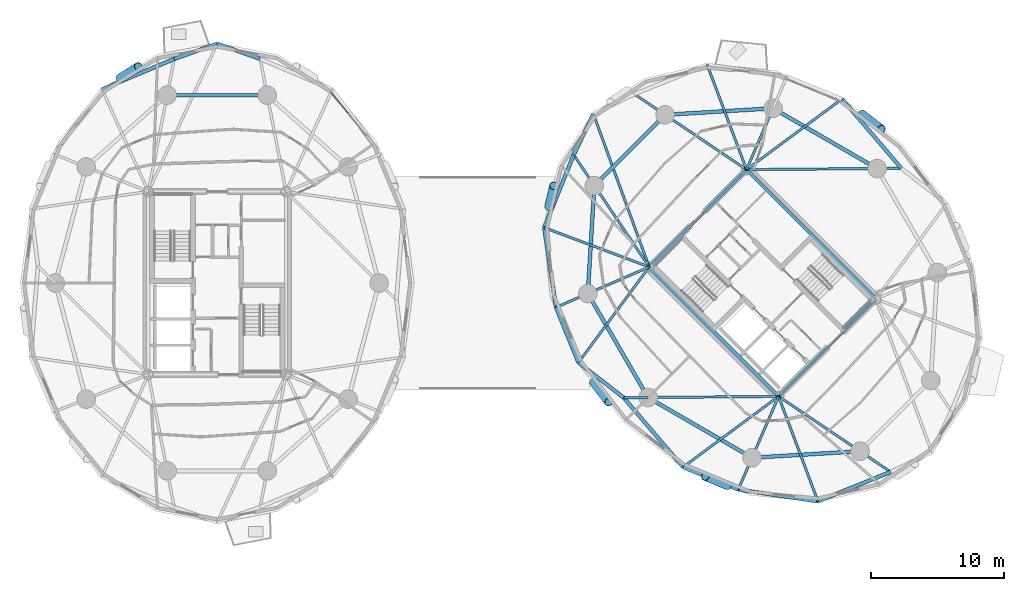
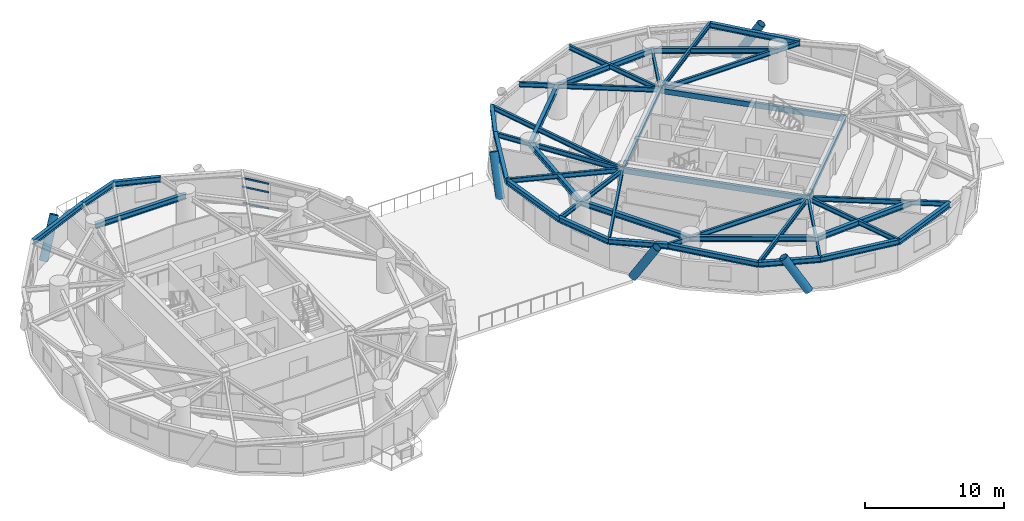
# One storey, part 4 of 19: 41 beams, 8 members, 1 element without a shape of its own.
"""IFC4 building model written with IfcOpenShell, lengths in metres."""

from ifc_helpers import new_model, si_unit, direction, frame, origin, origin_2d, place, context, subcontext, project, spatial, hollow_rectangle, hollow_circle, i_section, extrude, material, layer, layer_set, material_profile, profile_set, type_object, element, aggregate, save


model = new_model("IFC4")

# Units and contexts
model_context = context("Model", 3, precision=1e-05, world=origin(), true_north=direction((0.0, 1.0)))
body_context = subcontext(model_context, "Body", "Model", "MODEL_VIEW")
ifc_project = project(units=[si_unit("LENGTHUNIT", "METRE"), si_unit("AREAUNIT", "SQUARE_METRE"), si_unit("VOLUMEUNIT", "CUBIC_METRE"), si_unit("PLANEANGLEUNIT", "RADIAN"), si_unit("MASSUNIT", "GRAM", prefix="KILO")], contexts=[model_context])

# Site, building, storey
site_placement = place(None, origin())
site = spatial("IfcSite", under=ifc_project, at=site_placement, CompositionType="ELEMENT")
building_placement = place(site_placement, origin())
building = spatial("IfcBuilding", under=site, at=building_placement, Name="Cununo Teusaquillo Station Towers", CompositionType="ELEMENT")
storey_placement = place(building_placement, frame((0.0, 0.0, 144.0400390625)))
storey = spatial("IfcBuildingStorey", under=building, at=storey_placement, Name="L45", CompositionType="ELEMENT", Elevation=144.0400390625)

# Beams
ifc_material_1 = material(Name="Steel EN 10025-2 S355J2", Category="steel")
ifc_material_profile_1 = material_profile(ifc_material_1, hollow_rectangle(XDim=0.25, YDim=0.449951171875, WallThickness=0.01611328125, at=origin_2d()), Name="RHS 450x250x16")
ifc_profile_set_1 = profile_set([ifc_material_profile_1], Name="Steel EN 10025-2 S355J2")
beam_type_1 = type_object("IfcBeamType", Name="BM-COUP-1", PredefinedType="USERDEFINED", material=ifc_profile_set_1)
for number, where, z_axis, x_axis, name in (
    (1, (58.70556640625, 15.975830078125, 2.494873046875), (-0.707106781187, 0.707106781187, 0.0), (-0.707106781187, -0.707106781187, 0.0), "L45 Tower B Core Beam 1"),
    (2, (66.024169921875, 23.29443359375, 2.494873046875), (-0.707106781187, 0.707106781187, 0.0), (-0.707106781187, -0.707106781187, 0.0), "L45 Tower B Core Beam 2"),
):
    element("IfcBeam", number, at=place(storey_placement, frame(where, z_axis=z_axis, x_axis=x_axis)), inside=storey, type_object=beam_type_1, Name=name, ObjectType="COUPLING BEAM", PredefinedType="USERDEFINED", context=body_context, shape_type="SweptSolid", body=[
        extrude(hollow_rectangle(XDim=0.25, YDim=0.449951171875, WallThickness=0.01611328125, at=origin_2d()), origin(), (0.0, 0.0, 1.0), 13.760009765625),
    ])
ifc_material_2 = material(Name="Steel ASTM A572 Grade 50", Category="steel")
ifc_material_profile_2 = material_profile(ifc_material_2, i_section(OverallWidth=0.180908203125, OverallDepth=0.4169921875, WebThickness=0.010986328125, FlangeThickness=0.018310546875, FilletRadius=0.012939453125, at=origin_2d()), Name="W16X57")
ifc_profile_set_2 = profile_set([ifc_material_profile_2], Name="Steel ASTM A572 Grade 50")
beam_type_2 = type_object("IfcBeamType", Name="BM-JOIST-1", PredefinedType="JOIST", material=ifc_profile_set_2)
beam_1_placement = place(storey_placement, frame((56.29443359375, 33.024169921875, 2.511474609375), z_axis=(0.803848430471, 0.594834179272, 0.0), x_axis=(-0.594834179272, 0.803848430471, 0.0)))
element("IfcBeam", 3, at=beam_1_placement, inside=storey, type_object=beam_type_2, Name="L45 Tower B Radial Spandrel Joist V01", PredefinedType="JOIST", context=body_context, shape_type="SweptSolid", body=[
    extrude(i_section(OverallWidth=0.180908203125, OverallDepth=0.4169921875, WebThickness=0.010986328125, FlangeThickness=0.018310546875, FilletRadius=0.012939453125, at=origin_2d()), origin(), (0.0, 0.0, 1.0), 8.936767578125),
])
beam_2_placement = place(storey_placement, frame((56.29443359375, 33.024169921875, 2.511474609375), z_axis=(-0.351348805076, 0.936244635323, 0.0), x_axis=(-0.936244635323, -0.351348805076, 0.0)))
element("IfcBeam", 4, at=beam_2_placement, inside=storey, type_object=beam_type_2, Name="L45 Tower B Radial Spandrel Joist V03", PredefinedType="JOIST", context=body_context, shape_type="SweptSolid", body=[
    extrude(i_section(OverallWidth=0.180908203125, OverallDepth=0.4169921875, WebThickness=0.010986328125, FlangeThickness=0.018310546875, FilletRadius=0.012939453125, at=origin_2d()), origin(), (0.0, 0.0, 1.0), 8.4287109375),
])
beam_3_placement = place(storey_placement, frame((48.975830078125, 25.70556640625, 2.511474609375), z_axis=(-0.34241791496, 0.939547748395, 0.0), x_axis=(-0.939547748395, -0.34241791496, 0.0)))
element("IfcBeam", 5, at=beam_3_placement, inside=storey, type_object=beam_type_2, Name="L45 Tower B Radial Spandrel Joist V05", PredefinedType="JOIST", context=body_context, shape_type="SweptSolid", body=[
    extrude(i_section(OverallWidth=0.180908203125, OverallDepth=0.4169921875, WebThickness=0.010986328125, FlangeThickness=0.018310546875, FilletRadius=0.012939453125, at=origin_2d()), origin(), (0.0, 0.0, 1.0), 12.25634765625),
])
beam_4_placement = place(storey_placement, frame((48.975830078125, 25.70556640625, 2.511474609375), z_axis=(-0.936244635323, 0.351348805076, 0.0), x_axis=(-0.351348805076, -0.936244635323, 0.0)))
element("IfcBeam", 6, at=beam_4_placement, inside=storey, type_object=beam_type_2, Name="L45 Tower B Radial Spandrel Joist V07", PredefinedType="JOIST", context=body_context, shape_type="SweptSolid", body=[
    extrude(i_section(OverallWidth=0.180908203125, OverallDepth=0.4169921875, WebThickness=0.010986328125, FlangeThickness=0.018310546875, FilletRadius=0.012939453125, at=origin_2d()), origin(), (0.0, 0.0, 1.0), 8.4287109375),
])
for number, where, z_axis, x_axis, name in (
    (7, (48.975830078125, 25.70556640625, 2.511474609375), (-0.594834179272, -0.803848430471, 0.0), (0.803848430471, -0.594834179272, 0.0), "L45 Tower B Radial Spandrel Joist V09"),
    (8, (58.70556640625, 15.975830078125, 2.511474609375), (-0.803848430471, -0.594834179272, 0.0), (0.594834179272, -0.803848430471, 0.0), "L45 Tower B Radial Spandrel Joist V11"),
):
    element("IfcBeam", number, at=place(storey_placement, frame(where, z_axis=z_axis, x_axis=x_axis)), inside=storey, type_object=beam_type_2, Name=name, PredefinedType="JOIST", context=body_context, shape_type="SweptSolid", body=[
        extrude(i_section(OverallWidth=0.180908203125, OverallDepth=0.4169921875, WebThickness=0.010986328125, FlangeThickness=0.018310546875, FilletRadius=0.012939453125, at=origin_2d()), origin(), (0.0, 0.0, 1.0), 8.936767578125),
    ])
beam_5_placement = place(storey_placement, frame((58.70556640625, 15.975830078125, 2.511474609375), z_axis=(0.351348805076, -0.936244635323, 0.0), x_axis=(0.936244635323, 0.351348805076, 0.0)))
element("IfcBeam", 9, at=beam_5_placement, inside=storey, type_object=beam_type_2, Name="L45 Tower B Radial Spandrel Joist V13", PredefinedType="JOIST", context=body_context, shape_type="SweptSolid", body=[
    extrude(i_section(OverallWidth=0.180908203125, OverallDepth=0.4169921875, WebThickness=0.010986328125, FlangeThickness=0.018310546875, FilletRadius=0.012939453125, at=origin_2d()), origin(), (0.0, 0.0, 1.0), 8.4287109375),
])
ifc_material_3 = material(Name="Steel ASTM A572 Grade 50", Category="steel")
ifc_material_profile_3 = material_profile(ifc_material_3, i_section(OverallWidth=0.2041015625, OverallDepth=0.35009765625, WebThickness=0.008544921875, FlangeThickness=0.01513671875, FilletRadius=0.011962890625, at=origin_2d()), Name="W14X48")
ifc_profile_set_3 = profile_set([ifc_material_profile_3], Name="Steel ASTM A572 Grade 50")
beam_type_3 = type_object("IfcBeamType", Name="BM-LINTEL-1", PredefinedType="LINTEL", material=ifc_profile_set_3)
for number, where, z_axis, x_axis, name in (
    (10, (58.70556640625, 15.975830078125, 2.544921875), (0.707106781187, 0.707106781187, 0.0), (-0.707106781187, 0.707106781187, 0.0), "L45 Tower B Core Beam 3"),
    (11, (48.975830078125, 25.70556640625, 2.544921875), (0.707106781187, 0.707106781187, 0.0), (-0.707106781187, 0.707106781187, 0.0), "L45 Tower B Core Beam 4"),
):
    element("IfcBeam", number, at=place(storey_placement, frame(where, z_axis=z_axis, x_axis=x_axis)), inside=storey, type_object=beam_type_3, Name=name, PredefinedType="LINTEL", context=body_context, shape_type="SweptSolid", body=[
        extrude(i_section(OverallWidth=0.2041015625, OverallDepth=0.35009765625, WebThickness=0.008544921875, FlangeThickness=0.01513671875, FilletRadius=0.011962890625, at=origin_2d()), origin(), (0.0, 0.0, 1.0), 10.35009765625),
    ])
ifc_material_4 = material(Name="Steel ASTM A572 Grade 50", Category="steel")
ifc_material_profile_4 = material_profile(ifc_material_4, i_section(OverallWidth=0.180908203125, OverallDepth=0.4169921875, WebThickness=0.010986328125, FlangeThickness=0.018310546875, FilletRadius=0.012939453125, at=origin_2d()), Name="W16X57")
ifc_profile_set_4 = profile_set([ifc_material_profile_4], Name="Steel ASTM A572 Grade 50")
beam_type_4 = type_object("IfcBeamType", Name="BM-RAD-G2", PredefinedType="BEAM", material=ifc_profile_set_4)
beam_6_placement = place(storey_placement, frame((56.29443359375, 33.024169921875, 2.511474609375), z_axis=(0.999964454788, 0.008431438866, 0.0), x_axis=(-0.008431438866, 0.999964454788, 0.0)))
element("IfcBeam", 12, at=beam_6_placement, inside=storey, type_object=beam_type_4, Name="L45 Tower B Continuous Overhanging Radial Girder 01", PredefinedType="BEAM", context=body_context, shape_type="SweptSolid", body=[
    extrude(i_section(OverallWidth=0.180908203125, OverallDepth=0.4169921875, WebThickness=0.010986328125, FlangeThickness=0.018310546875, FilletRadius=0.012939453125, at=origin_2d()), origin(), (0.0, 0.0, 1.0), 11.640380859375),
])
beam_7_placement = place(storey_placement, frame((56.29443359375, 33.024169921875, 2.511474609375), z_axis=(0.397346986387, 0.917668443616, 0.0), x_axis=(-0.917668443616, 0.397346986387, 0.0)))
element("IfcBeam", 13, at=beam_7_placement, inside=storey, type_object=beam_type_4, Name="L45 Tower B Radial Girder 02A", PredefinedType="BEAM", context=body_context, shape_type="SweptSolid", body=[
    extrude(i_section(OverallWidth=0.180908203125, OverallDepth=0.4169921875, WebThickness=0.010986328125, FlangeThickness=0.018310546875, FilletRadius=0.012939453125, at=origin_2d()), origin(), (0.0, 0.0, 1.0), 5.02490234375),
])
for number, where, z_axis, x_axis, name in (
    (14, (56.29443359375, 33.024169921875, 2.511474609375), (-0.829456923219, 0.558570687133, 0.0), (-0.558570687133, -0.829456923219, 0.0), "L45 Tower B Continuous Overhanging Radial Girder 03"),
    (15, (48.975830078125, 25.70556640625, 2.511474609375), (-0.558570687133, 0.829456923219, 0.0), (-0.829456923219, -0.558570687133, 0.0), "L45 Tower B Continuous Overhanging Radial Girder 04"),
):
    element("IfcBeam", number, at=place(storey_placement, frame(where, z_axis=z_axis, x_axis=x_axis)), inside=storey, type_object=beam_type_4, Name=name, PredefinedType="BEAM", context=body_context, shape_type="SweptSolid", body=[
        extrude(i_section(OverallWidth=0.180908203125, OverallDepth=0.4169921875, WebThickness=0.010986328125, FlangeThickness=0.018310546875, FilletRadius=0.012939453125, at=origin_2d()), origin(), (0.0, 0.0, 1.0), 10.1591796875),
    ])
beam_8_placement = place(storey_placement, frame((48.975830078125, 25.70556640625, 2.511474609375), z_axis=(-0.917655964072, -0.397375806515, 0.0), x_axis=(0.397375806515, -0.917655964072, 0.0)))
element("IfcBeam", 16, at=beam_8_placement, inside=storey, type_object=beam_type_4, Name="L45 Tower B Continuous Overhanging Radial Girder 05", PredefinedType="BEAM", context=body_context, shape_type="SweptSolid", body=[
    extrude(i_section(OverallWidth=0.180908203125, OverallDepth=0.4169921875, WebThickness=0.010986328125, FlangeThickness=0.018310546875, FilletRadius=0.012939453125, at=origin_2d()), origin(), (0.0, 0.0, 1.0), 7.6318359375),
])
beam_9_placement = place(storey_placement, frame((58.70556640625, 15.975830078125, 2.511474609375), z_axis=(-0.999964431382, -0.008434214327, 0.0), x_axis=(0.008434214327, -0.999964431382, 0.0)))
element("IfcBeam", 17, at=beam_9_placement, inside=storey, type_object=beam_type_4, Name="L45 Tower B Radial Girder 06A", PredefinedType="BEAM", context=body_context, shape_type="SweptSolid", body=[
    extrude(i_section(OverallWidth=0.180908203125, OverallDepth=0.4169921875, WebThickness=0.010986328125, FlangeThickness=0.018310546875, FilletRadius=0.012939453125, at=origin_2d()), origin(), (0.0, 0.0, 1.0), 9.812744140625),
])
beam_10_placement = place(storey_placement, frame((48.89306640625, 15.89306640625, 2.511474609375), z_axis=(-0.999964580337, -0.008416535546, 0.0), x_axis=(0.008416535546, -0.999964580337, 0.0)))
element("IfcBeam", 18, at=beam_10_placement, inside=storey, type_object=beam_type_4, Name="L45 Tower B Perimeter Overhang Girder 06B", PredefinedType="BEAM", context=body_context, shape_type="SweptSolid", body=[
    extrude(i_section(OverallWidth=0.180908203125, OverallDepth=0.4169921875, WebThickness=0.010986328125, FlangeThickness=0.018310546875, FilletRadius=0.012939453125, at=origin_2d()), origin(), (0.0, 0.0, 1.0), 1.827392578125),
])
beam_11_placement = place(storey_placement, frame((58.70556640625, 15.975830078125, 2.511474609375), z_axis=(-0.397375806515, -0.917655964072, 0.0), x_axis=(0.917655964072, -0.397375806515, 0.0)))
element("IfcBeam", 19, at=beam_11_placement, inside=storey, type_object=beam_type_4, Name="L45 Tower B Continuous Overhanging Radial Girder 07", PredefinedType="BEAM", context=body_context, shape_type="SweptSolid", body=[
    extrude(i_section(OverallWidth=0.180908203125, OverallDepth=0.4169921875, WebThickness=0.010986328125, FlangeThickness=0.018310546875, FilletRadius=0.012939453125, at=origin_2d()), origin(), (0.0, 0.0, 1.0), 7.6318359375),
])
beam_12_placement = place(storey_placement, frame((58.70556640625, 15.975830078125, 2.511474609375), z_axis=(0.829456923219, -0.558570687133, 0.0), x_axis=(0.558570687133, 0.829456923219, 0.0)))
element("IfcBeam", 20, at=beam_12_placement, inside=storey, type_object=beam_type_4, Name="L45 Tower B Continuous Overhanging Radial Girder 08", PredefinedType="BEAM", context=body_context, shape_type="SweptSolid", body=[
    extrude(i_section(OverallWidth=0.180908203125, OverallDepth=0.4169921875, WebThickness=0.010986328125, FlangeThickness=0.018310546875, FilletRadius=0.012939453125, at=origin_2d()), origin(), (0.0, 0.0, 1.0), 10.1591796875),
])
ifc_material_5 = material(Name="Steel ASTM A572 Grade 50", Category="steel")
ifc_material_profile_5 = material_profile(ifc_material_5, i_section(OverallWidth=0.280029296875, OverallDepth=0.462890625, WebThickness=0.0107421875, FlangeThickness=0.017333984375, FilletRadius=0.013916015625, at=origin_2d()), Name="W18X76")
ifc_profile_set_5 = profile_set([ifc_material_profile_5], Name="Steel ASTM A572 Grade 50")
beam_type_5 = type_object("IfcBeamType", Name="BM-RING-Z2", PredefinedType="SPANDREL", material=ifc_profile_set_5)
beam_13_placement = place(storey_placement, frame((20.261474609375, 38.623291015625, 2.488525390625), z_axis=(-1.0, 0.0, 0.0), x_axis=(0.0, -1.0, 0.0)))
element("IfcBeam", 21, at=beam_13_placement, inside=storey, type_object=beam_type_5, Name="L45 Tower A Structural Column Ring Girder 03", PredefinedType="SPANDREL", context=body_context, shape_type="SweptSolid", body=[
    extrude(i_section(OverallWidth=0.280029296875, OverallDepth=0.462890625, WebThickness=0.0107421875, FlangeThickness=0.017333984375, FilletRadius=0.013916015625, at=origin_2d()), origin(), (0.0, 0.0, 1.0), 7.52294921875),
])
for number, where, z_axis, x_axis, name in (
    (22, (19.72900390625, 41.35107421875, 2.488525390625), (-0.943057449198, 0.332629895698, 0.0), (-0.332629895698, -0.943057449198, 0.0), "L45 Tower A Spandrel Ring Beam 05"),
    (23, (16.5, 42.489990234375, 2.488525390625), (-0.943057449198, -0.332629895698, 0.0), (0.332629895698, -0.943057449198, 0.0), "L45 Tower A Spandrel Ring Beam 06"),
):
    element("IfcBeam", number, at=place(storey_placement, frame(where, z_axis=z_axis, x_axis=x_axis)), inside=storey, type_object=beam_type_5, Name=name, PredefinedType="SPANDREL", context=body_context, shape_type="SweptSolid", body=[
        extrude(i_section(OverallWidth=0.280029296875, OverallDepth=0.462890625, WebThickness=0.0107421875, FlangeThickness=0.017333984375, FilletRadius=0.013916015625, at=origin_2d()), origin(), (0.0, 0.0, 1.0), 3.424072265625),
    ])
beam_14_placement = place(storey_placement, frame((13.27099609375, 41.35107421875, 2.488525390625), z_axis=(-0.921042081118, -0.38946307246, 0.0), x_axis=(0.38946307246, -0.921042081118, 0.0)))
element("IfcBeam", 24, at=beam_14_placement, inside=storey, type_object=beam_type_5, Name="L45 Tower A Spandrel Ring Beam 07", PredefinedType="SPANDREL", context=body_context, shape_type="SweptSolid", body=[
    extrude(i_section(OverallWidth=0.280029296875, OverallDepth=0.462890625, WebThickness=0.0107421875, FlangeThickness=0.017333984375, FilletRadius=0.013916015625, at=origin_2d()), origin(), (0.0, 0.0, 1.0), 5.8974609375),
])
beam_15_placement = place(storey_placement, frame((66.10693359375, 33.10693359375, 2.488525390625), z_axis=(-0.865267103202, 0.501311121078, 0.0), x_axis=(-0.501311121078, -0.865267103202, 0.0)))
element("IfcBeam", 25, at=beam_15_placement, inside=storey, type_object=beam_type_5, Name="L45 Tower B Structural Column Ring Girder 01", PredefinedType="SPANDREL", context=body_context, shape_type="SweptSolid", body=[
    extrude(i_section(OverallWidth=0.280029296875, OverallDepth=0.462890625, WebThickness=0.0107421875, FlangeThickness=0.017333984375, FilletRadius=0.013916015625, at=origin_2d()), origin(), (0.0, 0.0, 1.0), 9.032958984375),
])
beam_16_placement = place(storey_placement, frame((58.291015625, 37.63525390625, 2.488525390625), z_axis=(-0.998190567048, -0.06012979176, 0.0), x_axis=(0.06012979176, -0.998190567048, 0.0)))
element("IfcBeam", 26, at=beam_16_placement, inside=storey, type_object=beam_type_5, Name="L45 Tower B Structural Column Ring Girder 02", PredefinedType="SPANDREL", context=body_context, shape_type="SweptSolid", body=[
    extrude(i_section(OverallWidth=0.280029296875, OverallDepth=0.462890625, WebThickness=0.0107421875, FlangeThickness=0.017333984375, FilletRadius=0.013916015625, at=origin_2d()), origin(), (0.0, 0.0, 1.0), 8.132568359375),
])
beam_17_placement = place(storey_placement, frame((50.173095703125, 37.146240234375, 2.488525390625), z_axis=(-0.707106781187, -0.707106781187, 0.0), x_axis=(0.707106781187, -0.707106781187, 0.0)))
element("IfcBeam", 27, at=beam_17_placement, inside=storey, type_object=beam_type_5, Name="L45 Tower B Structural Column Ring Girder 03", PredefinedType="SPANDREL", context=body_context, shape_type="SweptSolid", body=[
    extrude(i_section(OverallWidth=0.280029296875, OverallDepth=0.462890625, WebThickness=0.0107421875, FlangeThickness=0.017333984375, FilletRadius=0.013916015625, at=origin_2d()), origin(), (0.0, 0.0, 1.0), 7.522705078125),
])
beam_18_placement = place(storey_placement, frame((44.853759765625, 31.826904296875, 2.488525390625), z_axis=(-0.06012979176, -0.998190567048, 0.0), x_axis=(0.998190567048, -0.06012979176, 0.0)))
element("IfcBeam", 28, at=beam_18_placement, inside=storey, type_object=beam_type_5, Name="L45 Tower B Structural Column Ring Girder 04", PredefinedType="SPANDREL", context=body_context, shape_type="SweptSolid", body=[
    extrude(i_section(OverallWidth=0.280029296875, OverallDepth=0.462890625, WebThickness=0.0107421875, FlangeThickness=0.017333984375, FilletRadius=0.013916015625, at=origin_2d()), origin(), (0.0, 0.0, 1.0), 8.132568359375),
])
for number, where, z_axis, x_axis, name in (
    (29, (44.36474609375, 23.708984375, 2.488525390625), (0.501311121078, -0.865267103202, 0.0), (0.865267103202, 0.501311121078, 0.0), "L45 Tower B Structural Column Ring Girder 05"),
    (30, (48.89306640625, 15.89306640625, 2.488525390625), (0.865267103202, -0.501311121078, 0.0), (0.501311121078, 0.865267103202, 0.0), "L45 Tower B Structural Column Ring Girder 06"),
):
    element("IfcBeam", number, at=place(storey_placement, frame(where, z_axis=z_axis, x_axis=x_axis)), inside=storey, type_object=beam_type_5, Name=name, PredefinedType="SPANDREL", context=body_context, shape_type="SweptSolid", body=[
        extrude(i_section(OverallWidth=0.280029296875, OverallDepth=0.462890625, WebThickness=0.0107421875, FlangeThickness=0.017333984375, FilletRadius=0.013916015625, at=origin_2d()), origin(), (0.0, 0.0, 1.0), 9.032958984375),
    ])
beam_19_placement = place(storey_placement, frame((56.708984375, 11.36474609375, 2.488525390625), z_axis=(0.998190567048, 0.06012979176, 0.0), x_axis=(-0.06012979176, 0.998190567048, 0.0)))
element("IfcBeam", 31, at=beam_19_placement, inside=storey, type_object=beam_type_5, Name="L45 Tower B Structural Column Ring Girder 07", PredefinedType="SPANDREL", context=body_context, shape_type="SweptSolid", body=[
    extrude(i_section(OverallWidth=0.280029296875, OverallDepth=0.462890625, WebThickness=0.0107421875, FlangeThickness=0.017333984375, FilletRadius=0.013916015625, at=origin_2d()), origin(), (0.0, 0.0, 1.0), 8.132568359375),
])
beam_20_placement = place(storey_placement, frame((67.934326171875, 33.122314453125, 2.488525390625), z_axis=(-0.64941898982, 0.760430782952, 0.0), x_axis=(-0.760430782952, -0.64941898982, 0.0)))
element("IfcBeam", 32, at=beam_20_placement, inside=storey, type_object=beam_type_5, Name="L45 Tower B Spandrel Ring Beam 01", PredefinedType="SPANDREL", context=body_context, shape_type="SweptSolid", body=[
    extrude(i_section(OverallWidth=0.280029296875, OverallDepth=0.462890625, WebThickness=0.0107421875, FlangeThickness=0.017333984375, FilletRadius=0.013916015625, at=origin_2d()), origin(), (0.0, 0.0, 1.0), 6.861572265625),
])
beam_21_placement = place(storey_placement, frame((44.779052734375, 37.220947265625, 2.488525390625), z_axis=(-0.431574069634, -0.902077503555, 0.0), x_axis=(0.902077503555, -0.431574069634, 0.0)))
element("IfcBeam", 33, at=beam_21_placement, inside=storey, type_object=beam_type_5, Name="L45 Tower B Spandrel Ring Beam 06", PredefinedType="SPANDREL", context=body_context, shape_type="SweptSolid", body=[
    extrude(i_section(OverallWidth=0.280029296875, OverallDepth=0.462890625, WebThickness=0.0107421875, FlangeThickness=0.017333984375, FilletRadius=0.013916015625, at=origin_2d()), origin(), (0.0, 0.0, 1.0), 3.424072265625),
])
beam_22_placement = place(storey_placement, frame((43.30126953125, 34.132080078125, 2.488525390625), z_axis=(-0.375882869104, -0.926667183359, 0.0), x_axis=(0.926667183359, -0.375882869104, 0.0)))
element("IfcBeam", 34, at=beam_22_placement, inside=storey, type_object=beam_type_5, Name="L45 Tower B Spandrel Ring Beam 07", PredefinedType="SPANDREL", context=body_context, shape_type="SweptSolid", body=[
    extrude(i_section(OverallWidth=0.280029296875, OverallDepth=0.462890625, WebThickness=0.0107421875, FlangeThickness=0.017333984375, FilletRadius=0.013916015625, at=origin_2d()), origin(), (0.0, 0.0, 1.0), 5.8974609375),
])
beam_23_placement = place(storey_placement, frame((41.08447265625, 28.6669921875, 2.488525390625), z_axis=(0.146535519435, -0.989205409176, 0.0), x_axis=(0.989205409176, 0.146535519435, 0.0)))
element("IfcBeam", 35, at=beam_23_placement, inside=storey, type_object=beam_type_5, Name="L45 Tower B Spandrel Ring Beam 08", PredefinedType="SPANDREL", context=body_context, shape_type="SweptSolid", body=[
    extrude(i_section(OverallWidth=0.280029296875, OverallDepth=0.462890625, WebThickness=0.0107421875, FlangeThickness=0.017333984375, FilletRadius=0.013916015625, at=origin_2d()), origin(), (0.0, 0.0, 1.0), 6.0595703125),
])
beam_24_placement = place(storey_placement, frame((41.972412109375, 22.6728515625, 2.488525390625), z_axis=(0.376588942192, -0.926380466449, 0.0), x_axis=(0.926380466449, 0.376588942192, 0.0)))
element("IfcBeam", 36, at=beam_24_placement, inside=storey, type_object=beam_type_5, Name="L45 Tower B Spandrel Ring Beam 09", PredefinedType="SPANDREL", context=body_context, shape_type="SweptSolid", body=[
    extrude(i_section(OverallWidth=0.280029296875, OverallDepth=0.462890625, WebThickness=0.0107421875, FlangeThickness=0.017333984375, FilletRadius=0.013916015625, at=origin_2d()), origin(), (0.0, 0.0, 1.0), 4.48095703125),
])
beam_25_placement = place(storey_placement, frame((43.659912109375, 18.521728515625, 2.488525390625), z_axis=(0.789900716386, -0.613234749711, 0.0), x_axis=(0.613234749711, 0.789900716386, 0.0)))
element("IfcBeam", 37, at=beam_25_placement, inside=storey, type_object=beam_type_5, Name="L45 Tower B Spandrel Ring Beam 10", PredefinedType="SPANDREL", context=body_context, shape_type="SweptSolid", body=[
    extrude(i_section(OverallWidth=0.280029296875, OverallDepth=0.462890625, WebThickness=0.0107421875, FlangeThickness=0.017333984375, FilletRadius=0.013916015625, at=origin_2d()), origin(), (0.0, 0.0, 1.0), 4.3115234375),
])
beam_26_placement = place(storey_placement, frame((47.065673828125, 15.877685546875, 2.488525390625), z_axis=(0.64941898982, -0.760430782952, 0.0), x_axis=(0.760430782952, 0.64941898982, 0.0)))
element("IfcBeam", 38, at=beam_26_placement, inside=storey, type_object=beam_type_5, Name="L45 Tower B Spandrel Ring Beam 11", PredefinedType="SPANDREL", context=body_context, shape_type="SweptSolid", body=[
    extrude(i_section(OverallWidth=0.280029296875, OverallDepth=0.462890625, WebThickness=0.0107421875, FlangeThickness=0.017333984375, FilletRadius=0.013916015625, at=origin_2d()), origin(), (0.0, 0.0, 1.0), 6.861572265625),
])
beam_27_placement = place(storey_placement, frame((51.521728515625, 10.659912109375, 2.488525390625), z_axis=(0.926380466449, -0.376588942192, 0.0), x_axis=(0.376588942192, 0.926380466449, 0.0)))
element("IfcBeam", 39, at=beam_27_placement, inside=storey, type_object=beam_type_5, Name="L45 Tower B Spandrel Ring Beam 12", PredefinedType="SPANDREL", context=body_context, shape_type="SweptSolid", body=[
    extrude(i_section(OverallWidth=0.280029296875, OverallDepth=0.462890625, WebThickness=0.0107421875, FlangeThickness=0.017333984375, FilletRadius=0.013916015625, at=origin_2d()), origin(), (0.0, 0.0, 1.0), 4.48095703125),
])
beam_28_placement = place(storey_placement, frame((55.6728515625, 8.972412109375, 2.488525390625), z_axis=(0.989205409176, -0.146535519435, 0.0), x_axis=(0.146535519435, 0.989205409176, 0.0)))
element("IfcBeam", 40, at=beam_28_placement, inside=storey, type_object=beam_type_5, Name="L45 Tower B Spandrel Ring Beam 13", PredefinedType="SPANDREL", context=body_context, shape_type="SweptSolid", body=[
    extrude(i_section(OverallWidth=0.280029296875, OverallDepth=0.462890625, WebThickness=0.0107421875, FlangeThickness=0.017333984375, FilletRadius=0.013916015625, at=origin_2d()), origin(), (0.0, 0.0, 1.0), 6.0595703125),
])
beam_29_placement = place(storey_placement, frame((61.6669921875, 8.08447265625, 2.488525390625), z_axis=(0.926667183359, 0.375882869104, 0.0), x_axis=(-0.375882869104, 0.926667183359, 0.0)))
element("IfcBeam", 41, at=beam_29_placement, inside=storey, type_object=beam_type_5, Name="L45 Tower B Spandrel Ring Beam 14", PredefinedType="SPANDREL", context=body_context, shape_type="SweptSolid", body=[
    extrude(i_section(OverallWidth=0.280029296875, OverallDepth=0.462890625, WebThickness=0.0107421875, FlangeThickness=0.017333984375, FilletRadius=0.013916015625, at=origin_2d()), origin(), (0.0, 0.0, 1.0), 5.8974609375),
])

# Curtain wall, members
ifc_material_6 = material(Name="Ceramic-fritted dark low-E double glazing", Category="glass")
ifc_layer = layer(ifc_material_6, 0.179931640625)
ifc_layer_set = layer_set([ifc_layer], Name="Ceramic-fritted dark low-E double glazing")
curtain_wall_type = type_object("IfcCurtainWallType", Name="CW-SYS-04", PredefinedType="USERDEFINED", material=ifc_layer_set)
curtain_wall_placement = place(storey_placement, origin())
curtain_wall = element("IfcCurtainWall", 42, at=curtain_wall_placement, inside=storey, type_object=curtain_wall_type, Name="L45 Tower A Facade Curtain Wall C02", ObjectType="FRITTED GLAZING", PredefinedType="USERDEFINED")
ifc_material_7 = material(Name="Anodised dark bronze aluminium EN AW-6063-T6", Category="aluminium")
ifc_material_profile_6 = material_profile(ifc_material_7, hollow_rectangle(XDim=0.070068359375, YDim=0.139892578125, WallThickness=0.00390625, at=origin_2d()), Name="CW-TRAN-70x140")
ifc_profile_set_6 = profile_set([ifc_material_profile_6], Name="Anodised dark bronze aluminium EN AW-6063-T6")
member_type_1 = type_object("IfcMemberType", Name="CWT-140", PredefinedType="USERDEFINED", material=ifc_profile_set_6)
member_1_placement = place(storey_placement, frame((25.075927734375, 38.822021484375, 0.034912109375), z_axis=(0.632595350189, -0.774482487161, 0.0), x_axis=(0.774482487161, 0.632595350189, 0.0)))
member_1 = element("IfcMember", 43, at=member_1_placement, type_object=member_type_1, Name="CW-04 transom 1.1", ObjectType="TRANSOM", PredefinedType="USERDEFINED", context=body_context, shape_type="SweptSolid", body=[
    extrude(hollow_rectangle(XDim=0.070068359375, YDim=0.139892578125, WallThickness=0.00390625, at=origin_2d()), origin(), (0.0, 0.0, 1.0), 2.008056640625),
])
member_2_placement = place(storey_placement, frame((25.075927734375, 38.822021484375, 1.448974609375), z_axis=(0.632595350189, -0.774482487161, 0.0), x_axis=(0.774482487161, 0.632595350189, 0.0)))
member_2 = element("IfcMember", 44, at=member_2_placement, type_object=member_type_1, Name="CW-04 transom 1.2", ObjectType="TRANSOM", PredefinedType="USERDEFINED", context=body_context, shape_type="SweptSolid", body=[
    extrude(hollow_rectangle(XDim=0.070068359375, YDim=0.139892578125, WallThickness=0.00390625, at=origin_2d()), origin(), (0.0, 0.0, 1.0), 2.008056640625),
])
member_3_placement = place(storey_placement, frame((25.075927734375, 38.822021484375, 2.19384765625), z_axis=(0.632595350189, -0.774482487161, 0.0), x_axis=(0.774482487161, 0.632595350189, 0.0)))
member_3 = element("IfcMember", 45, at=member_3_placement, type_object=member_type_1, Name="CW-04 transom 1.3", ObjectType="TRANSOM", PredefinedType="USERDEFINED", context=body_context, shape_type="SweptSolid", body=[
    extrude(hollow_rectangle(XDim=0.070068359375, YDim=0.139892578125, WallThickness=0.00390625, at=origin_2d()), origin(), (0.0, 0.0, 1.0), 2.008056640625),
])
aggregate(curtain_wall, [member_1, member_2, member_3])

# Members
ifc_material_8 = material(Name="Steel EN 10025-2 S355J2", Category="steel")
ifc_material_profile_7 = material_profile(ifc_material_8, hollow_circle(Radius=0.330078125, WallThickness=0.02490234375, at=origin_2d()), Name="CHS 660x25")
ifc_profile_set_7 = profile_set([ifc_material_profile_7], Name="Steel EN 10025-2 S355J2")
member_type_2 = type_object("IfcMemberType", Name="MBR-DIAG-Z2", PredefinedType="BRACE", material=ifc_profile_set_7)
member_4_placement = place(storey_placement, frame((9.208251953125, 39.906005859375, -0.14013671875), z_axis=(0.395829736564, 0.246264256575, 0.884687931186), x_axis=(-0.528255801217, 0.849085277508, 0.0)))
element("IfcMember", 46, at=member_4_placement, inside=storey, type_object=member_type_2, Name="L45 Tower A Folded-Zigzag Diagrid Tube C06", PredefinedType="BRACE", context=body_context, shape_type="SweptSolid", body=[
    extrude(hollow_circle(Radius=0.330078125, WallThickness=0.02490234375, at=origin_2d()), origin(), (0.0, 0.0, 1.0), 3.458984375),
])
member_5_placement = place(storey_placement, frame((64.95849609375, 37.199951171875, -0.14013671875), z_axis=(0.412897909757, -0.318048505355, 0.85344036954), x_axis=(0.610234657618, 0.792220715863, 0.0)))
element("IfcMember", 47, at=member_5_placement, inside=storey, type_object=member_type_2, Name="L45 Tower B Folded-Zigzag Diagrid Tube C00", PredefinedType="BRACE", context=body_context, shape_type="SweptSolid", body=[
    extrude(hollow_circle(Radius=0.330078125, WallThickness=0.02490234375, at=origin_2d()), origin(), (0.0, 0.0, 1.0), 3.58544921875),
])
member_6_placement = place(storey_placement, frame((41.4501953125, 30.237548828125, -0.14013671875), z_axis=(0.105801959215, 0.454052037112, 0.884670951835), x_axis=(-0.973909284725, 0.226937667931, 0.0)))
element("IfcMember", 48, at=member_6_placement, inside=storey, type_object=member_type_2, Name="L45 Tower B Folded-Zigzag Diagrid Tube C06", PredefinedType="BRACE", context=body_context, shape_type="SweptSolid", body=[
    extrude(hollow_circle(Radius=0.330078125, WallThickness=0.02490234375, at=origin_2d()), origin(), (0.0, 0.0, 1.0), 3.458984375),
])
member_7_placement = place(storey_placement, frame((44.800048828125, 17.04150390625, -0.14013671875), z_axis=(0.318048505355, -0.412897909757, 0.85344036954), x_axis=(0.792220715863, 0.610234657618, 0.0)))
element("IfcMember", 49, at=member_7_placement, inside=storey, type_object=member_type_2, Name="L45 Tower B Folded-Zigzag Diagrid Tube C09", PredefinedType="BRACE", context=body_context, shape_type="SweptSolid", body=[
    extrude(hollow_circle(Radius=0.330078125, WallThickness=0.02490234375, at=origin_2d()), origin(), (0.0, 0.0, 1.0), 3.58544921875),
])
member_8_placement = place(storey_placement, frame((54.872314453125, 9.2822265625, -0.14013671875), z_axis=(-0.471121629293, 0.193680285082, 0.860541897633), x_axis=(-0.380227752796, -0.924892888936, 0.0)))
element("IfcMember", 50, at=member_8_placement, inside=storey, type_object=member_type_2, Name="L45 Tower B Folded-Zigzag Diagrid Tube C11", PredefinedType="BRACE", context=body_context, shape_type="SweptSolid", body=[
    extrude(hollow_circle(Radius=0.330078125, WallThickness=0.02490234375, at=origin_2d()), origin(), (0.0, 0.0, 1.0), 3.555908203125),
])

save(model, "model.ifc")
